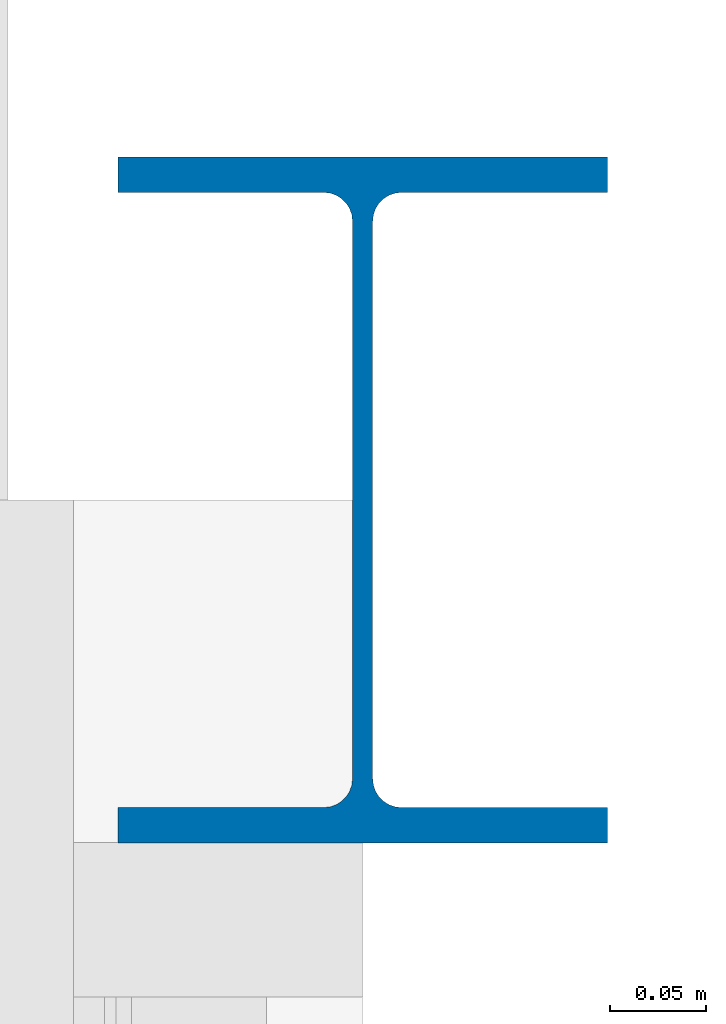
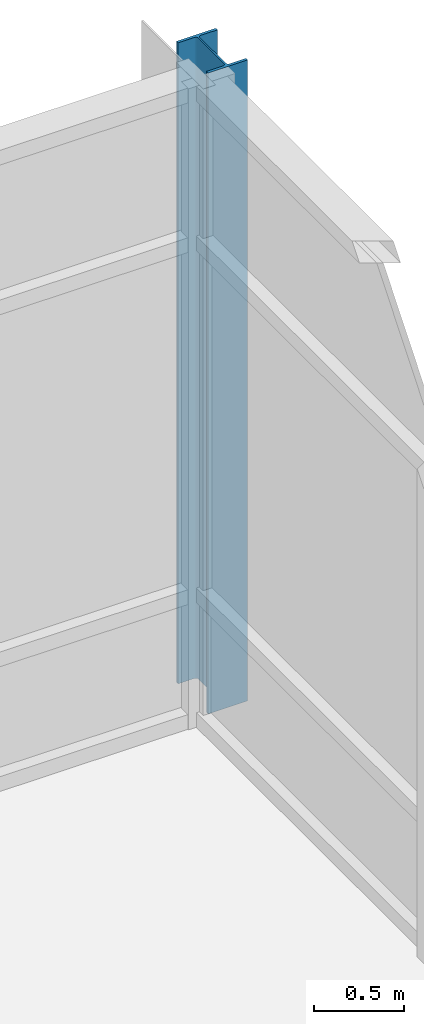
# One storey, part 10 of 89: 1 column.
"""IFC4 building model written with IfcOpenShell, lengths in metres."""

from ifc_helpers import new_model, si_unit, direction, frame, origin, origin_2d, place, context, subcontext, project, spatial, i_section, extrude, material, material_profile, profile_set, type_object, element, save


model = new_model("IFC4")

# Units and contexts
model_context = context("Model", 3, precision=1e-05, world=origin(), true_north=direction((0.0, 1.0)))
body_context = subcontext(model_context, "Body", "Model", "MODEL_VIEW")
ifc_project = project(units=[si_unit("LENGTHUNIT", "METRE"), si_unit("AREAUNIT", "SQUARE_METRE"), si_unit("VOLUMEUNIT", "CUBIC_METRE"), si_unit("PLANEANGLEUNIT", "RADIAN"), si_unit("MASSUNIT", "GRAM", prefix="KILO")], contexts=[model_context])

# Site, building, storey
site_placement = place(None, origin())
site = spatial("IfcSite", under=ifc_project, at=site_placement, CompositionType="ELEMENT")
building_placement = place(site_placement, origin())
building = spatial("IfcBuilding", under=site, at=building_placement, Name="Hlaing Beacon Police Headquarters", CompositionType="ELEMENT")
storey_placement = place(building_placement, frame((0.0, 0.0, 9.89990234375)))
storey = spatial("IfcBuildingStorey", under=building, at=storey_placement, Name="L02", CompositionType="ELEMENT", Elevation=9.89990234375)

# Column
ifc_material = material(Name="Steel ASTM A992 Grade 50", Category="steel")
ifc_material_profile = material_profile(ifc_material, i_section(OverallWidth=0.25390625, OverallDepth=0.355712890625, WebThickness=0.010498046875, FlangeThickness=0.018310546875, FilletRadius=0.014892578125, at=origin_2d()), Name="W14x68")
ifc_profile_set = profile_set([ifc_material_profile], Name="Steel ASTM A992 Grade 50")
column_type = type_object("IfcColumnType", Name="Steel column W14x68", PredefinedType="COLUMN", material=ifc_profile_set)
column_placement = place(storey_placement, frame((134.39990234375, 92.39990234375, 0.0), z_axis=(0.0, 0.0, 1.0), x_axis=(1.0, 0.0, 0.0)))
element("IfcColumn", 1, at=column_placement, inside=storey, type_object=column_type, Name="STR-COL-L02-S12", PredefinedType="COLUMN", context=body_context, shape_type="SweptSolid", body=[
    extrude(i_section(OverallWidth=0.25390625, OverallDepth=0.355712890625, WebThickness=0.010498046875, FlangeThickness=0.018310546875, FilletRadius=0.014892578125, at=origin_2d()), origin(), (0.0, 0.0, 1.0), 4.3701171875),
])

save(model, "model.ifc")
